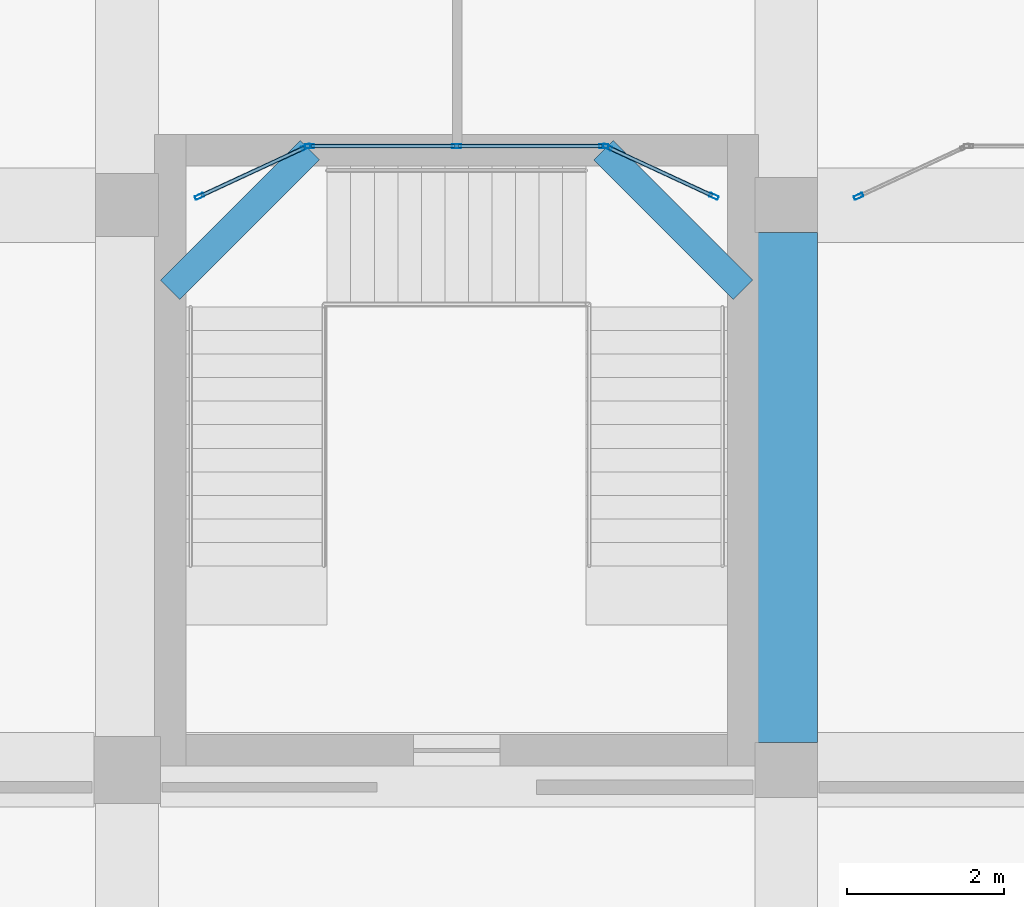
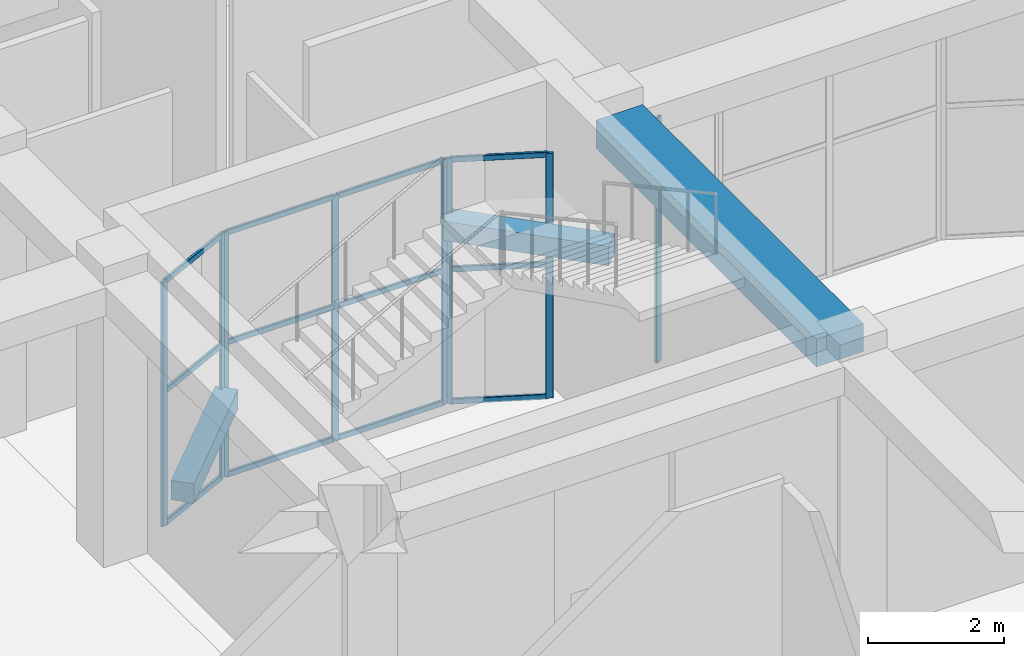
# One storey, part 5 of 84: 20 members, 3 beams, 4 elements without a shape of their own.
"""IFC4 building model written with IfcOpenShell, lengths in metres."""

from ifc_helpers import new_model, si_unit, derived_unit, direction, frame, origin, origin_2d, place, context, subcontext, project, spatial, rectangle, hollow_rectangle, extrude, material, material_profile, profile_set, type_object, element, aggregate, save


model = new_model("IFC4")

# Units and contexts
model_context = context("Model", 3, precision=1e-05, world=origin(), true_north=direction((0.0, 1.0)))
body_context = subcontext(model_context, "Body", "Model", "MODEL_VIEW")
ifc_project = project(units=[si_unit("LENGTHUNIT", "METRE"), si_unit("AREAUNIT", "SQUARE_METRE"), si_unit("VOLUMEUNIT", "CUBIC_METRE"), si_unit("PLANEANGLEUNIT", "RADIAN"), si_unit("MASSUNIT", "GRAM", prefix="KILO"), derived_unit("THERMALTRANSMITTANCEUNIT", [(si_unit("POWERUNIT", "WATT"), 1), (si_unit("LENGTHUNIT", "METRE"), -2), (si_unit("THERMODYNAMICTEMPERATUREUNIT", "KELVIN"), -1)])], contexts=[model_context])

# Site, building, storey
site_placement = place(None, origin())
site = spatial("IfcSite", under=ifc_project, at=site_placement, CompositionType="ELEMENT")
building_placement = place(site_placement, origin())
building = spatial("IfcBuilding", under=site, at=building_placement, Name="Veybourne Emporium", CompositionType="ELEMENT")
storey_placement = place(building_placement, origin())
storey = spatial("IfcBuildingStorey", under=building, at=storey_placement, Name="L00", CompositionType="ELEMENT", Elevation=0.0)

# Curtain wall, members
ifc_material_1 = material(Name="Patinated Architectural Bronze", Category="bronze")
curtain_wall_type_1 = type_object("IfcCurtainWallType", Name="CWSystem_CWI-01", PredefinedType="NOTDEFINED", material=ifc_material_1)
curtain_wall_1_placement = place(storey_placement, origin())
curtain_wall_1 = element("IfcCurtainWall", 1, at=curtain_wall_1_placement, inside=storey, type_object=curtain_wall_type_1, Name="Arcade bow-front boutique shopfront L00 bay 6 facet 1", PredefinedType="NOTDEFINED")
ifc_material_profile_1 = material_profile(ifc_material_1, hollow_rectangle(XDim=0.050048828125, YDim=0.1201171875, WallThickness=0.00390625, InnerFilletRadius=0.006103515625, OuterFilletRadius=0.010009765625, at=origin_2d()), Name="CWM 50x120x4")
ifc_profile_set_1 = profile_set([ifc_material_profile_1], Name="Patinated Architectural Bronze")
member_type_1 = type_object("IfcMemberType", Name="CWMullion_CW-M5", PredefinedType="MULLION", material=ifc_profile_set_1)
member_1_placement = place(storey_placement, frame((51.32275390625, 21.71044921875, 0.0), z_axis=(0.0, 0.0, 1.0), x_axis=(-0.421111306453, 0.907008967749, 0.0)))
member_1 = element("IfcMember", 2, at=member_1_placement, type_object=member_type_1, Name="CWI-01 mullion 1", PredefinedType="MULLION", context=body_context, shape_type="SweptSolid", body=[
    extrude(hollow_rectangle(XDim=0.050048828125, YDim=0.1201171875, WallThickness=0.00390625, InnerFilletRadius=0.006103515625, OuterFilletRadius=0.010009765625, at=origin_2d()), origin(), (0.0, 0.0, 1.0), 4.39990234375),
])
member_2_placement = place(storey_placement, frame((52.67724609375, 22.33935546875, 0.0), z_axis=(0.0, 0.0, 1.0), x_axis=(-0.421111306453, 0.907008967749, 0.0)))
member_2 = element("IfcMember", 3, at=member_2_placement, type_object=member_type_1, Name="CWI-01 mullion 2", PredefinedType="MULLION", context=body_context, shape_type="SweptSolid", body=[
    extrude(hollow_rectangle(XDim=0.050048828125, YDim=0.1201171875, WallThickness=0.00390625, InnerFilletRadius=0.006103515625, OuterFilletRadius=0.010009765625, at=origin_2d()), origin(), (0.0, 0.0, 1.0), 4.39990234375),
])

curtain_wall_type_2 = type_object("IfcCurtainWallType", Name="CWSystem_CWI-02", PredefinedType="NOTDEFINED", material=ifc_material_1)
curtain_wall_2_placement = place(storey_placement, origin())
curtain_wall_2 = element("IfcCurtainWall", 4, at=curtain_wall_2_placement, inside=storey, type_object=curtain_wall_type_2, Name="Arcade bow-front boutique shopfront L00 bay 6 facet 2", PredefinedType="NOTDEFINED")
member_3_placement = place(storey_placement, frame((52.72509765625, 22.35009765625, 0.0), z_axis=(0.0, 0.0, 1.0), x_axis=(0.0, 1.0, 0.0)))
member_3 = element("IfcMember", 5, at=member_3_placement, type_object=member_type_1, Name="CWI-02 mullion 1", PredefinedType="MULLION", context=body_context, shape_type="SweptSolid", body=[
    extrude(hollow_rectangle(XDim=0.050048828125, YDim=0.1201171875, WallThickness=0.00390625, InnerFilletRadius=0.006103515625, OuterFilletRadius=0.010009765625, at=origin_2d()), origin(), (0.0, 0.0, 1.0), 4.39990234375),
])
member_4_placement = place(storey_placement, frame((54.60009765625, 22.35009765625, 0.0), z_axis=(0.0, 0.0, 1.0), x_axis=(0.0, 1.0, 0.0)))
member_4 = element("IfcMember", 6, at=member_4_placement, type_object=member_type_1, Name="CWI-02 mullion 2", PredefinedType="MULLION", context=body_context, shape_type="SweptSolid", body=[
    extrude(hollow_rectangle(XDim=0.050048828125, YDim=0.1201171875, WallThickness=0.00390625, InnerFilletRadius=0.006103515625, OuterFilletRadius=0.010009765625, at=origin_2d()), origin(), (0.0, 0.0, 1.0), 4.39990234375),
])
member_5_placement = place(storey_placement, frame((56.47509765625, 22.35009765625, 0.0), z_axis=(0.0, 0.0, 1.0), x_axis=(0.0, 1.0, 0.0)))
member_5 = element("IfcMember", 7, at=member_5_placement, type_object=member_type_1, Name="CWI-02 mullion 3", PredefinedType="MULLION", context=body_context, shape_type="SweptSolid", body=[
    extrude(hollow_rectangle(XDim=0.050048828125, YDim=0.1201171875, WallThickness=0.00390625, InnerFilletRadius=0.006103515625, OuterFilletRadius=0.010009765625, at=origin_2d()), origin(), (0.0, 0.0, 1.0), 4.39990234375),
])

curtain_wall_type_3 = type_object("IfcCurtainWallType", Name="CWSystem_CWI-03", PredefinedType="NOTDEFINED", material=ifc_material_1)
curtain_wall_3_placement = place(storey_placement, origin())
curtain_wall_3 = element("IfcCurtainWall", 8, at=curtain_wall_3_placement, inside=storey, type_object=curtain_wall_type_3, Name="Arcade bow-front boutique shopfront L00 bay 6 facet 3", PredefinedType="NOTDEFINED")
member_6_placement = place(storey_placement, frame((56.522705078125, 22.33935546875, 0.0), z_axis=(0.0, 0.0, 1.0), x_axis=(0.421111306453, 0.907008967749, 0.0)))
member_6 = element("IfcMember", 9, at=member_6_placement, type_object=member_type_1, Name="CWI-03 mullion 1", PredefinedType="MULLION", context=body_context, shape_type="SweptSolid", body=[
    extrude(hollow_rectangle(XDim=0.050048828125, YDim=0.1201171875, WallThickness=0.00390625, InnerFilletRadius=0.006103515625, OuterFilletRadius=0.010009765625, at=origin_2d()), origin(), (0.0, 0.0, 1.0), 4.39990234375),
])
member_7_placement = place(storey_placement, frame((57.87744140625, 21.71044921875, 0.0), z_axis=(0.0, 0.0, 1.0), x_axis=(0.421111306453, 0.907008967749, 0.0)))
member_7 = element("IfcMember", 10, at=member_7_placement, type_object=member_type_1, Name="CWI-03 mullion 2", PredefinedType="MULLION", context=body_context, shape_type="SweptSolid", body=[
    extrude(hollow_rectangle(XDim=0.050048828125, YDim=0.1201171875, WallThickness=0.00390625, InnerFilletRadius=0.006103515625, OuterFilletRadius=0.010009765625, at=origin_2d()), origin(), (0.0, 0.0, 1.0), 4.39990234375),
])

# Curtain wall, member
curtain_wall_4_placement = place(storey_placement, origin())
curtain_wall_4 = element("IfcCurtainWall", 11, at=curtain_wall_4_placement, inside=storey, type_object=curtain_wall_type_2, Name="Arcade bow-front boutique shopfront L00 bay 7 facet 1", PredefinedType="NOTDEFINED")
member_8_placement = place(storey_placement, frame((59.72265625, 21.71044921875, 0.0), z_axis=(0.0, 0.0, 1.0), x_axis=(-0.421111306453, 0.907008967749, 0.0)))
member_8 = element("IfcMember", 12, at=member_8_placement, type_object=member_type_1, Name="CWI-02 mullion 1", PredefinedType="MULLION", context=body_context, shape_type="SweptSolid", body=[
    extrude(hollow_rectangle(XDim=0.050048828125, YDim=0.1201171875, WallThickness=0.00390625, InnerFilletRadius=0.006103515625, OuterFilletRadius=0.010009765625, at=origin_2d()), origin(), (0.0, 0.0, 1.0), 4.39990234375),
])
aggregate(curtain_wall_4, [member_8])

# Member
ifc_material_profile_2 = material_profile(ifc_material_1, hollow_rectangle(XDim=0.050048828125, YDim=0.10009765625, WallThickness=0.00390625, InnerFilletRadius=0.006103515625, OuterFilletRadius=0.010009765625, at=origin_2d()), Name="CWT 50x100x4")
ifc_profile_set_2 = profile_set([ifc_material_profile_2], Name="Patinated Architectural Bronze")
member_type_2 = type_object("IfcMemberType", Name="CWTransom_CW-T5", PredefinedType="NOTDEFINED", material=ifc_profile_set_2)
member_9_placement = place(storey_placement, frame((51.345458984375, 21.720947265625, 0.02490234375), z_axis=(0.906976661713, 0.421180881698, 0.0), x_axis=(-0.421180881698, 0.906976661713, 0.0)))
member_9 = element("IfcMember", 13, at=member_9_placement, type_object=member_type_2, Name="CWI-01 transom 1.1", ObjectType="TRANSOM", PredefinedType="USERDEFINED", context=body_context, shape_type="SweptSolid", body=[
    extrude(hollow_rectangle(XDim=0.050048828125, YDim=0.10009765625, WallThickness=0.00390625, InnerFilletRadius=0.006103515625, OuterFilletRadius=0.010009765625, at=origin_2d()), origin(), (0.0, 0.0, 1.0), 1.443359375),
])

member_10_placement = place(storey_placement, frame((51.345458984375, 21.720947265625, 2.39990234375), z_axis=(0.906976661713, 0.421180881698, 0.0), x_axis=(-0.421180881698, 0.906976661713, 0.0)))
member_10 = element("IfcMember", 14, at=member_10_placement, type_object=member_type_2, Name="CWI-01 transom 1.2", ObjectType="TRANSOM", PredefinedType="USERDEFINED", context=body_context, shape_type="SweptSolid", body=[
    extrude(hollow_rectangle(XDim=0.050048828125, YDim=0.10009765625, WallThickness=0.00390625, InnerFilletRadius=0.006103515625, OuterFilletRadius=0.010009765625, at=origin_2d()), origin(), (0.0, 0.0, 1.0), 1.443359375),
])

member_11_placement = place(storey_placement, frame((51.345458984375, 21.720947265625, 4.375), z_axis=(0.906976661713, 0.421180881698, 0.0), x_axis=(-0.421180881698, 0.906976661713, 0.0)))
member_11 = element("IfcMember", 15, at=member_11_placement, type_object=member_type_2, Name="CWI-01 transom 1.3", ObjectType="TRANSOM", PredefinedType="USERDEFINED", context=body_context, shape_type="SweptSolid", body=[
    extrude(hollow_rectangle(XDim=0.050048828125, YDim=0.10009765625, WallThickness=0.00390625, InnerFilletRadius=0.006103515625, OuterFilletRadius=0.010009765625, at=origin_2d()), origin(), (0.0, 0.0, 1.0), 1.443359375),
])

aggregate(curtain_wall_1, [member_1, member_2, member_9, member_10, member_11])

member_12_placement = place(storey_placement, frame((52.75, 22.35009765625, 0.02490234375), z_axis=(1.0, 0.0, 0.0), x_axis=(0.0, 1.0, 0.0)))
member_12 = element("IfcMember", 16, at=member_12_placement, type_object=member_type_2, Name="CWI-02 transom 1.1", ObjectType="TRANSOM", PredefinedType="USERDEFINED", context=body_context, shape_type="SweptSolid", body=[
    extrude(hollow_rectangle(XDim=0.050048828125, YDim=0.10009765625, WallThickness=0.00390625, InnerFilletRadius=0.006103515625, OuterFilletRadius=0.010009765625, at=origin_2d()), origin(), (0.0, 0.0, 1.0), 1.824951171875),
])

member_13_placement = place(storey_placement, frame((52.75, 22.35009765625, 2.39990234375), z_axis=(1.0, 0.0, 0.0), x_axis=(0.0, 1.0, 0.0)))
member_13 = element("IfcMember", 17, at=member_13_placement, type_object=member_type_2, Name="CWI-02 transom 1.2", ObjectType="TRANSOM", PredefinedType="USERDEFINED", context=body_context, shape_type="SweptSolid", body=[
    extrude(hollow_rectangle(XDim=0.050048828125, YDim=0.10009765625, WallThickness=0.00390625, InnerFilletRadius=0.006103515625, OuterFilletRadius=0.010009765625, at=origin_2d()), origin(), (0.0, 0.0, 1.0), 1.824951171875),
])

member_14_placement = place(storey_placement, frame((52.75, 22.35009765625, 4.375), z_axis=(1.0, 0.0, 0.0), x_axis=(0.0, 1.0, 0.0)))
member_14 = element("IfcMember", 18, at=member_14_placement, type_object=member_type_2, Name="CWI-02 transom 1.3", ObjectType="TRANSOM", PredefinedType="USERDEFINED", context=body_context, shape_type="SweptSolid", body=[
    extrude(hollow_rectangle(XDim=0.050048828125, YDim=0.10009765625, WallThickness=0.00390625, InnerFilletRadius=0.006103515625, OuterFilletRadius=0.010009765625, at=origin_2d()), origin(), (0.0, 0.0, 1.0), 1.824951171875),
])

member_15_placement = place(storey_placement, frame((54.625, 22.35009765625, 0.02490234375), z_axis=(1.0, 0.0, 0.0), x_axis=(0.0, 1.0, 0.0)))
member_15 = element("IfcMember", 19, at=member_15_placement, type_object=member_type_2, Name="CWI-02 transom 2.1", ObjectType="TRANSOM", PredefinedType="USERDEFINED", context=body_context, shape_type="SweptSolid", body=[
    extrude(hollow_rectangle(XDim=0.050048828125, YDim=0.10009765625, WallThickness=0.00390625, InnerFilletRadius=0.006103515625, OuterFilletRadius=0.010009765625, at=origin_2d()), origin(), (0.0, 0.0, 1.0), 1.824951171875),
])

member_16_placement = place(storey_placement, frame((54.625, 22.35009765625, 2.39990234375), z_axis=(1.0, 0.0, 0.0), x_axis=(0.0, 1.0, 0.0)))
member_16 = element("IfcMember", 20, at=member_16_placement, type_object=member_type_2, Name="CWI-02 transom 2.2", ObjectType="TRANSOM", PredefinedType="USERDEFINED", context=body_context, shape_type="SweptSolid", body=[
    extrude(hollow_rectangle(XDim=0.050048828125, YDim=0.10009765625, WallThickness=0.00390625, InnerFilletRadius=0.006103515625, OuterFilletRadius=0.010009765625, at=origin_2d()), origin(), (0.0, 0.0, 1.0), 1.824951171875),
])

member_17_placement = place(storey_placement, frame((54.625, 22.35009765625, 4.375), z_axis=(1.0, 0.0, 0.0), x_axis=(0.0, 1.0, 0.0)))
member_17 = element("IfcMember", 21, at=member_17_placement, type_object=member_type_2, Name="CWI-02 transom 2.3", ObjectType="TRANSOM", PredefinedType="USERDEFINED", context=body_context, shape_type="SweptSolid", body=[
    extrude(hollow_rectangle(XDim=0.050048828125, YDim=0.10009765625, WallThickness=0.00390625, InnerFilletRadius=0.006103515625, OuterFilletRadius=0.010009765625, at=origin_2d()), origin(), (0.0, 0.0, 1.0), 1.824951171875),
])

aggregate(curtain_wall_2, [member_3, member_4, member_5, member_12, member_13, member_14, member_15, member_16, member_17])

member_18_placement = place(storey_placement, frame((56.54541015625, 22.328857421875, 0.02490234375), z_axis=(0.907006660705, -0.421116275435, 0.0), x_axis=(0.421116275435, 0.907006660705, 0.0)))
member_18 = element("IfcMember", 22, at=member_18_placement, type_object=member_type_2, Name="CWI-03 transom 1.1", ObjectType="TRANSOM", PredefinedType="USERDEFINED", context=body_context, shape_type="SweptSolid", body=[
    extrude(hollow_rectangle(XDim=0.050048828125, YDim=0.10009765625, WallThickness=0.00390625, InnerFilletRadius=0.006103515625, OuterFilletRadius=0.010009765625, at=origin_2d()), origin(), (0.0, 0.0, 1.0), 1.443603515625),
])

member_19_placement = place(storey_placement, frame((56.54541015625, 22.328857421875, 2.39990234375), z_axis=(0.907006660705, -0.421116275435, 0.0), x_axis=(0.421116275435, 0.907006660705, 0.0)))
member_19 = element("IfcMember", 23, at=member_19_placement, type_object=member_type_2, Name="CWI-03 transom 1.2", ObjectType="TRANSOM", PredefinedType="USERDEFINED", context=body_context, shape_type="SweptSolid", body=[
    extrude(hollow_rectangle(XDim=0.050048828125, YDim=0.10009765625, WallThickness=0.00390625, InnerFilletRadius=0.006103515625, OuterFilletRadius=0.010009765625, at=origin_2d()), origin(), (0.0, 0.0, 1.0), 1.443603515625),
])

member_20_placement = place(storey_placement, frame((56.54541015625, 22.328857421875, 4.375), z_axis=(0.907006660705, -0.421116275435, 0.0), x_axis=(0.421116275435, 0.907006660705, 0.0)))
member_20 = element("IfcMember", 24, at=member_20_placement, type_object=member_type_2, Name="CWI-03 transom 1.3", ObjectType="TRANSOM", PredefinedType="USERDEFINED", context=body_context, shape_type="SweptSolid", body=[
    extrude(hollow_rectangle(XDim=0.050048828125, YDim=0.10009765625, WallThickness=0.00390625, InnerFilletRadius=0.006103515625, OuterFilletRadius=0.010009765625, at=origin_2d()), origin(), (0.0, 0.0, 1.0), 1.443603515625),
])

aggregate(curtain_wall_3, [member_6, member_7, member_18, member_19, member_20])

# Beams
ifc_material_2 = material(Name="Concrete C32/40", Category="concrete")
ifc_material_profile_3 = material_profile(ifc_material_2, rectangle(XDim=0.35009765625, YDim=0.35009765625, at=origin_2d()), Name="RC 350x350")
ifc_profile_set_3 = profile_set([ifc_material_profile_3], Name="Concrete C32/40")
beam_type_1 = type_object("IfcBeamType", Name="LandingBeam_LB-01", PredefinedType="BEAM", material=ifc_profile_set_3)
for number, where, z_axis, x_axis, name in (
    (25, (50.949951171875, 20.52001953125, 1.445068359375), (0.707106781187, 0.707106781187, 0.0), (-0.707106781187, 0.707106781187, 0.0), "L00 ST-09 landing 1 support beam"),
    (26, (56.469970703125, 22.300048828125, 3.2451171875), (0.707106781187, -0.707106781187, 0.0), (0.707106781187, 0.707106781187, 0.0), "L00 ST-09 landing 2 support beam"),
):
    element("IfcBeam", number, at=place(storey_placement, frame(where, z_axis=z_axis, x_axis=x_axis)), inside=storey, type_object=beam_type_1, Name=name, PredefinedType="BEAM", context=body_context, shape_type="SweptSolid", body=[
        extrude(rectangle(XDim=0.35009765625, YDim=0.35009765625, at=origin_2d()), origin(), (0.0, 0.0, 1.0), 2.517333984375),
    ])
ifc_material_profile_4 = material_profile(ifc_material_2, rectangle(XDim=0.800048828125, YDim=0.5, at=origin_2d()), Name="RC 800x500")
ifc_profile_set_4 = profile_set([ifc_material_profile_4], Name="Concrete C32/40")
beam_type_2 = type_object("IfcBeamType", Name="RCBeam_BB-02", PredefinedType="BEAM", material=ifc_profile_set_4)
beam_placement = place(storey_placement, frame((58.800048828125, 14.75, 4.830078125), z_axis=(0.0, 1.0, 0.0), x_axis=(-1.0, 0.0, 0.0)))
element("IfcBeam", 27, at=beam_placement, inside=storey, type_object=beam_type_2, Name="L00 Y-grid beam BB-02 (7,2)", PredefinedType="BEAM", context=body_context, shape_type="SweptSolid", body=[
    extrude(rectangle(XDim=0.800048828125, YDim=0.5, at=origin_2d()), origin(), (0.0, 0.0, 1.0), 6.5),
])

save(model, "model.ifc")
